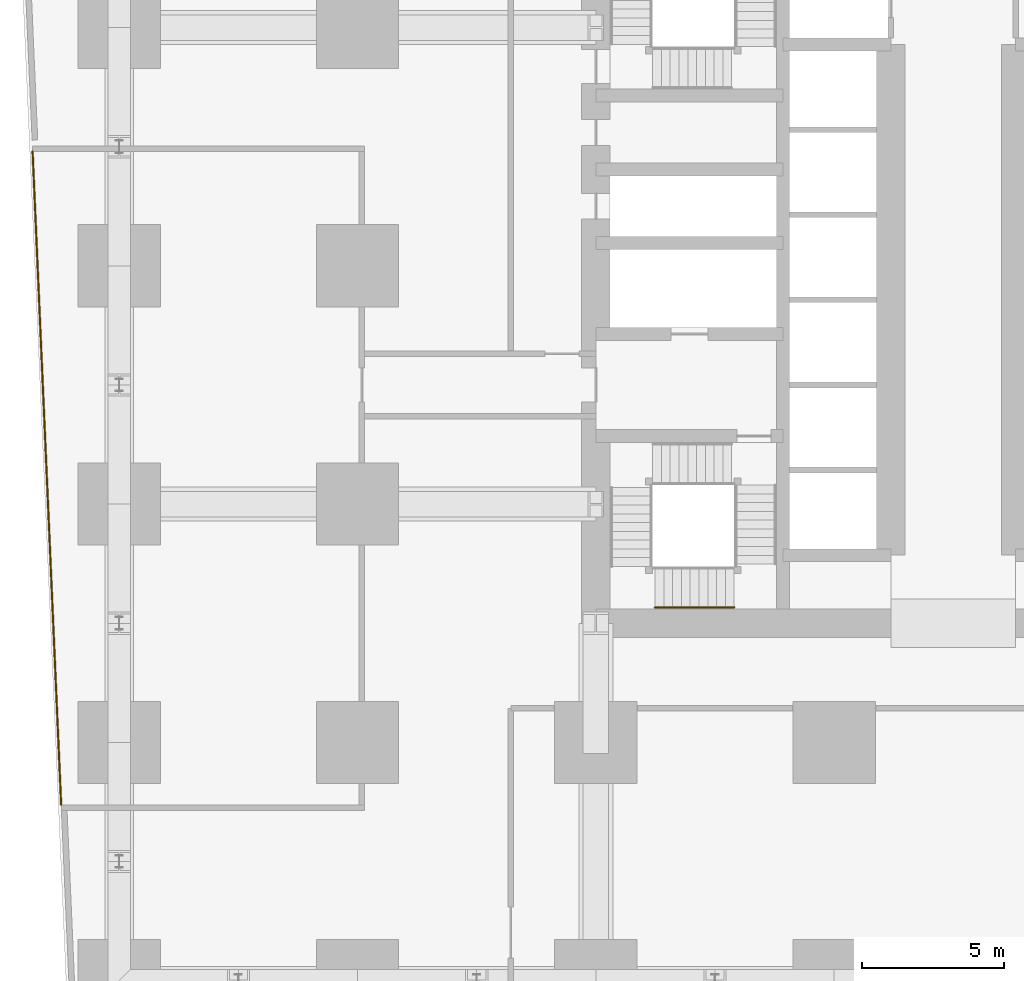
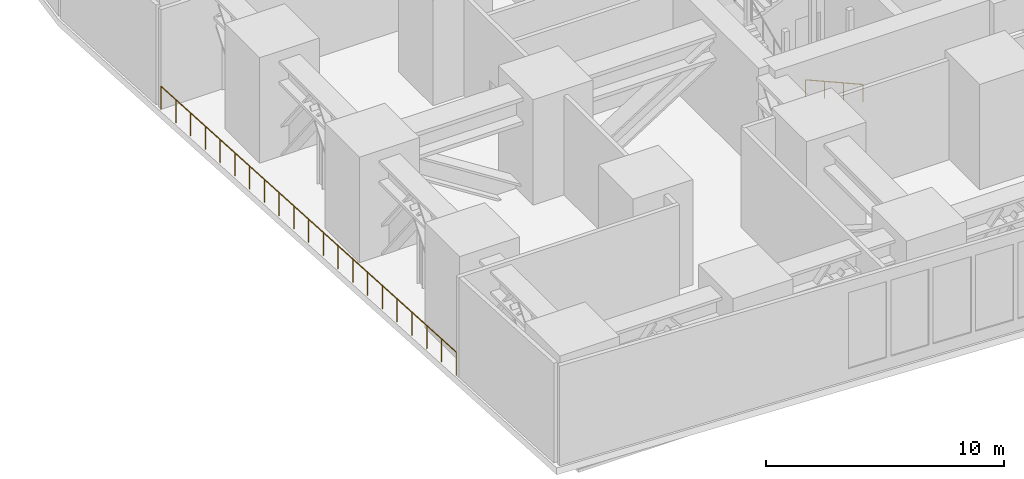
# One storey, part 13 of 16: 2 railings.
"""IFC4 building model written with IfcOpenShell, lengths in metres."""

from ifc_helpers import new_model, si_unit, direction, frame, origin, origin_2d, place, context, subcontext, project, spatial, circle, extrude, material, type_object, element, save


model = new_model("IFC4")

# Units and contexts
model_context = context("Model", 3, precision=1e-05, world=origin(), true_north=direction((0.0, 1.0)))
body_context = subcontext(model_context, "Body", "Model", "MODEL_VIEW")
ifc_project = project(units=[si_unit("LENGTHUNIT", "METRE"), si_unit("AREAUNIT", "SQUARE_METRE"), si_unit("VOLUMEUNIT", "CUBIC_METRE"), si_unit("PLANEANGLEUNIT", "RADIAN"), si_unit("MASSUNIT", "GRAM", prefix="KILO")], contexts=[model_context])

# Site, building, storey
site_placement = place(None, origin())
site = spatial("IfcSite", under=ifc_project, at=site_placement, CompositionType="ELEMENT")
building_placement = place(site_placement, origin())
building = spatial("IfcBuilding", under=site, at=building_placement, Name="Rekha Terrace Tower", CompositionType="ELEMENT")
storey_placement = place(building_placement, frame((0.0, 0.0, 85.39990234375)))
storey = spatial("IfcBuildingStorey", under=building, at=storey_placement, Name="L21", CompositionType="ELEMENT", Elevation=85.39990234375)

# Railings
ifc_material_1 = material(Name="Steel guard with vertical balusters", Category="steel")
railing_type_1 = type_object("IfcRailingType", Name="GR2 refuge area guard 1200", PredefinedType="GUARDRAIL", material=ifc_material_1)
railing_1_placement = place(storey_placement, frame((6.35009765625, 14.596923828125, 0.0)))
element("IfcRailing", 1, at=railing_1_placement, inside=storey, type_object=railing_type_1, Name="Refuge area guard L21", PredefinedType="GUARDRAIL", context=body_context, shape_type="SweptSolid", body=[
    extrude(circle(Radius=0.02392578125, at=origin_2d()), frame((0.0, 0.0, 1.17578125), z_axis=(-0.043681700638, 0.999045498979, 0.0), x_axis=(-0.999045498979, -0.043681700638, 0.0)), (0.0, 0.0, 1.0), 23.054931640625),
    extrude(circle(Radius=0.02099609375, at=origin_2d()), origin(), (0.0, 0.0, 1.0), 1.15185546875),
    extrude(circle(Radius=0.02099609375, at=origin_2d()), frame((-0.05029296875, 1.151611328125, 0.0)), (0.0, 0.0, 1.0), 1.15185546875),
    extrude(circle(Radius=0.02099609375, at=origin_2d()), frame((-0.1005859375, 2.30322265625, 0.0)), (0.0, 0.0, 1.0), 1.15185546875),
    extrude(circle(Radius=0.02099609375, at=origin_2d()), frame((-0.151123046875, 3.454833984375, 0.0)), (0.0, 0.0, 1.0), 1.15185546875),
    extrude(circle(Radius=0.02099609375, at=origin_2d()), frame((-0.201416015625, 4.606689453125, 0.0)), (0.0, 0.0, 1.0), 1.15185546875),
    extrude(circle(Radius=0.02099609375, at=origin_2d()), frame((-0.251708984375, 5.75830078125, 0.0)), (0.0, 0.0, 1.0), 1.15185546875),
    extrude(circle(Radius=0.02099609375, at=origin_2d()), frame((-0.30224609375, 6.909912109375, 0.0)), (0.0, 0.0, 1.0), 1.15185546875),
    extrude(circle(Radius=0.02099609375, at=origin_2d()), frame((-0.3525390625, 8.0615234375, 0.0)), (0.0, 0.0, 1.0), 1.15185546875),
    extrude(circle(Radius=0.02099609375, at=origin_2d()), frame((-0.40283203125, 9.213134765625, 0.0)), (0.0, 0.0, 1.0), 1.15185546875),
    extrude(circle(Radius=0.02099609375, at=origin_2d()), frame((-0.453125, 10.36474609375, 0.0)), (0.0, 0.0, 1.0), 1.15185546875),
    extrude(circle(Radius=0.02099609375, at=origin_2d()), frame((-0.50341796875, 11.5166015625, 0.0)), (0.0, 0.0, 1.0), 1.15185546875),
    extrude(circle(Radius=0.02099609375, at=origin_2d()), frame((-0.553955078125, 12.668212890625, 0.0)), (0.0, 0.0, 1.0), 1.15185546875),
    extrude(circle(Radius=0.02099609375, at=origin_2d()), frame((-0.604248046875, 13.81982421875, 0.0)), (0.0, 0.0, 1.0), 1.15185546875),
    extrude(circle(Radius=0.02099609375, at=origin_2d()), frame((-0.654541015625, 14.971435546875, 0.0)), (0.0, 0.0, 1.0), 1.15185546875),
    extrude(circle(Radius=0.02099609375, at=origin_2d()), frame((-0.705078125, 16.123046875, 0.0)), (0.0, 0.0, 1.0), 1.15185546875),
    extrude(circle(Radius=0.02099609375, at=origin_2d()), frame((-0.75537109375, 17.274658203125, 0.0)), (0.0, 0.0, 1.0), 1.15185546875),
    extrude(circle(Radius=0.02099609375, at=origin_2d()), frame((-0.8056640625, 18.42626953125, 0.0)), (0.0, 0.0, 1.0), 1.15185546875),
    extrude(circle(Radius=0.02099609375, at=origin_2d()), frame((-0.85595703125, 19.578125, 0.0)), (0.0, 0.0, 1.0), 1.15185546875),
    extrude(circle(Radius=0.02099609375, at=origin_2d()), frame((-0.90625, 20.729736328125, 0.0)), (0.0, 0.0, 1.0), 1.15185546875),
    extrude(circle(Radius=0.02099609375, at=origin_2d()), frame((-0.956787109375, 21.88134765625, 0.0)), (0.0, 0.0, 1.0), 1.15185546875),
    extrude(circle(Radius=0.02099609375, at=origin_2d()), frame((-1.007080078125, 23.032958984375, 0.0)), (0.0, 0.0, 1.0), 1.15185546875),
])
ifc_material_2 = material(Name="Stainless steel tube", Category="steel")
railing_type_2 = type_object("IfcRailingType", Name="HR1 900 stair handrail", PredefinedType="HANDRAIL", material=ifc_material_2)
railing_2_placement = place(storey_placement, frame((30.074951171875, 21.56005859375, 1.485107421875)))
element("IfcRailing", 2, at=railing_2_placement, inside=storey, type_object=railing_type_2, Name="Handrail ST1 L21 flight 2", PredefinedType="HANDRAIL", context=body_context, shape_type="SweptSolid", body=[
    extrude(circle(Radius=0.02392578125, at=origin_2d()), frame((0.0, 0.0, 0.8759765625), z_axis=(-0.916826272601, 0.0, 0.399286345707), x_axis=(0.0, -1.0, 0.0)), (0.0, 0.0, 1.0), 3.043212890625),
    extrude(circle(Radius=0.02099609375, at=origin_2d()), origin(), (0.0, 0.0, 1.0), 0.851806640625),
    extrude(circle(Radius=0.02099609375, at=origin_2d()), frame((-0.929931640625, 0.0, 0.405029296875)), (0.0, 0.0, 1.0), 0.851806640625),
    extrude(circle(Radius=0.02099609375, at=origin_2d()), frame((-1.860107421875, 0.0, 0.81005859375)), (0.0, 0.0, 1.0), 0.851806640625),
    extrude(circle(Radius=0.02099609375, at=origin_2d()), frame((-2.7900390625, 0.0, 1.215087890625)), (0.0, 0.0, 1.0), 0.851806640625),
])

save(model, "model.ifc")
